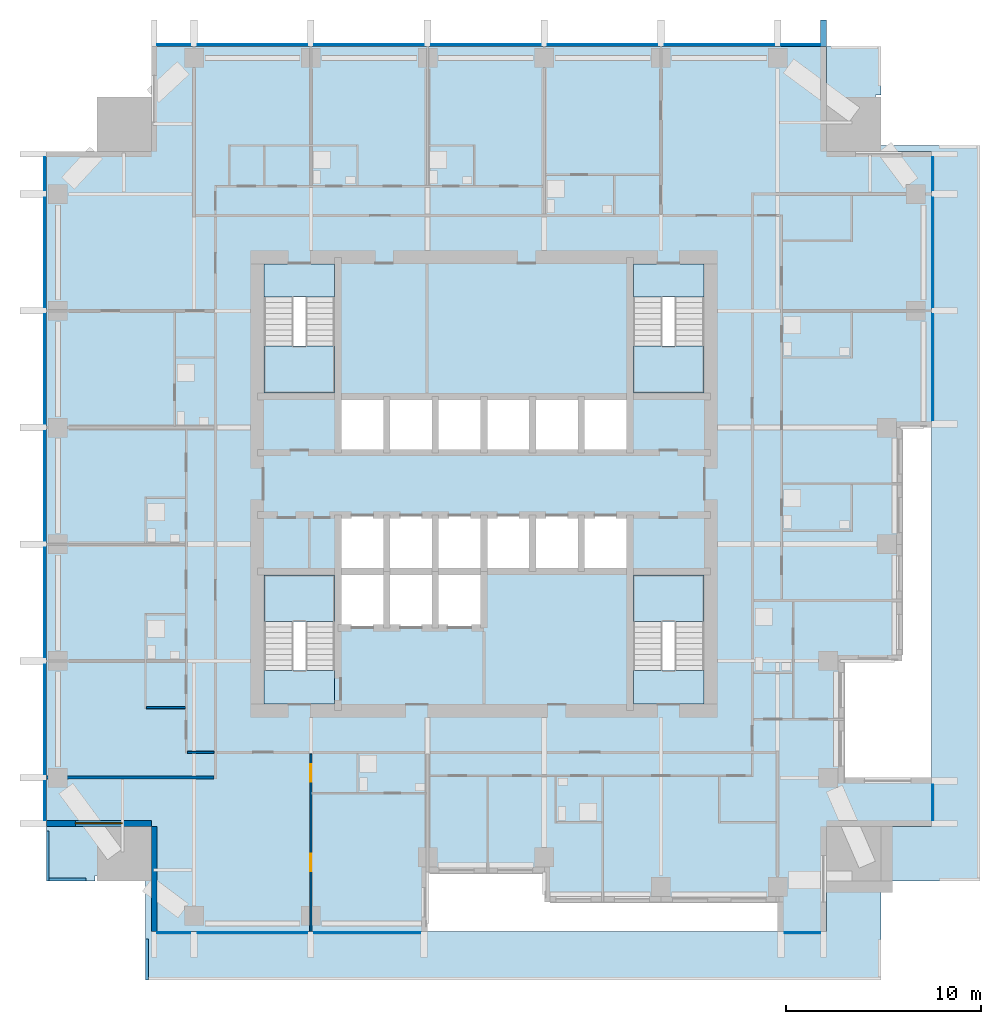
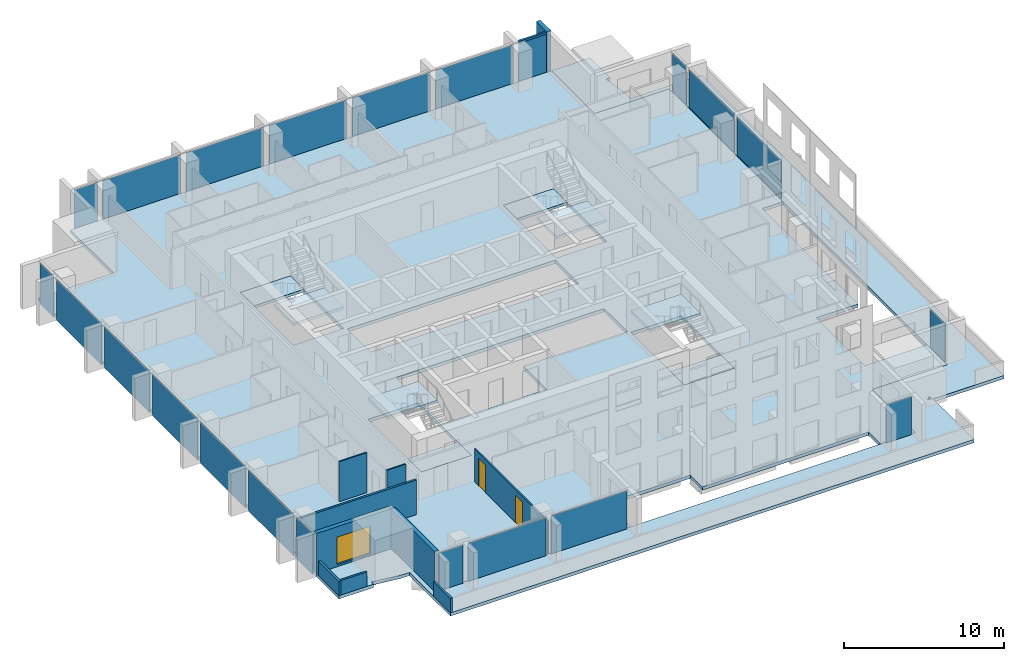
# One storey, part 3 of 14: 22 plates, 10 slabs, 9 walls, 2 doors, 2 members, 1 window, 3 openings, 10 elements without a shape of their own.
"""IFC4 building model written with IfcOpenShell, lengths in metres."""

from ifc_helpers import new_model, si_unit, direction, frame, frame_2d, origin, origin_2d, place, context, subcontext, project, spatial, polyline, rectangle, outline, extrude, material, layer, layer_set, material_profile, profile_set, type_object, element, fill, aggregate, save


model = new_model("IFC4")

# Units and contexts
model_context = context("Model", 3, precision=1e-05, world=origin(), true_north=direction((0.0, 1.0)))
body_context = subcontext(model_context, "Body", "Model", "MODEL_VIEW")
ifc_project = project(units=[si_unit("LENGTHUNIT", "METRE"), si_unit("AREAUNIT", "SQUARE_METRE"), si_unit("VOLUMEUNIT", "CUBIC_METRE"), si_unit("PLANEANGLEUNIT", "RADIAN"), si_unit("MASSUNIT", "GRAM", prefix="KILO")], contexts=[model_context])

# Site, building, storey
site_placement = place(None, origin())
site = spatial("IfcSite", under=ifc_project, at=site_placement, CompositionType="ELEMENT")
building_placement = place(site_placement, origin())
building = spatial("IfcBuilding", under=site, at=building_placement, Name="Amberfall Residences", CompositionType="ELEMENT")
storey_placement = place(building_placement, frame((0.0, 0.0, 133.89990234375)))
storey = spatial("IfcBuildingStorey", under=building, at=storey_placement, Name="L35", CompositionType="ELEMENT", Elevation=133.89990234375)

# Curtain wall, members
ifc_material_1 = material(Name="Bronze anodised aluminium and glass", Category="aluminium")
curtain_wall_type = type_object("IfcCurtainWallType", Name="Curtain wall CW1 tower unit", PredefinedType="USERDEFINED", material=ifc_material_1)
curtain_wall_1_placement = place(storey_placement, origin())
curtain_wall_1 = element("IfcCurtainWall", 1, at=curtain_wall_1_placement, inside=storey, type_object=curtain_wall_type, Name="Curtain wall L35 N N1", ObjectType="UNITISED CURTAIN WALL", PredefinedType="USERDEFINED")
ifc_material_2 = material(Name="Bronze anodised aluminium", Category="aluminium")
ifc_material_profile_1 = material_profile(ifc_material_2, rectangle(XDim=0.14990234375, YDim=0.14990234375, at=origin_2d()), Name="CW1 transom 150 x 150 bronze")
ifc_profile_set_1 = profile_set([ifc_material_profile_1], Name="Bronze anodised aluminium")
member_type_1 = type_object("IfcMemberType", Name="CW1 transom 150 x 150 bronze", PredefinedType="USERDEFINED", material=ifc_profile_set_1)
member_1_placement = place(storey_placement, frame((91.800048828125, 68.074951171875, 2.97509765625), z_axis=(-1.0, 0.0, 0.0), x_axis=(0.0, -1.0, 0.0)))
member_1 = element("IfcMember", 2, at=member_1_placement, type_object=member_type_1, Name="CW1 transom 1.1", ObjectType="TRANSOM", PredefinedType="USERDEFINED", context=body_context, shape_type="SweptSolid", body=[
    extrude(rectangle(XDim=0.14990234375, YDim=0.14990234375, at=origin_2d()), origin(), (0.0, 0.0, 1.0), 2.025146484375),
])
ifc_material_profile_2 = material_profile(ifc_material_2, rectangle(XDim=1.35009765625, YDim=0.300048828125, at=origin_2d()), Name="Corner fin 300 x 1350 bronze")
ifc_profile_set_2 = profile_set([ifc_material_profile_2], Name="Bronze anodised aluminium")
member_type_2 = type_object("IfcMemberType", Name="Corner fin 300 x 1350 bronze", PredefinedType="MULLION", material=ifc_profile_set_2)
member_2_placement = place(storey_placement, frame((91.949951171875, 68.675048828125, -0.25), z_axis=(0.0, 0.0, 1.0), x_axis=(0.0, -1.0, 0.0)))
member_2 = element("IfcMember", 3, at=member_2_placement, type_object=member_type_2, Name="CW FIN 1", PredefinedType="MULLION", context=body_context, shape_type="SweptSolid", body=[
    extrude(rectangle(XDim=1.35009765625, YDim=0.300048828125, at=origin_2d()), origin(), (0.0, 0.0, 1.0), 3.300048828125),
])

# Curtain wall, plates
curtain_wall_2_placement = place(storey_placement, origin())
curtain_wall_2 = element("IfcCurtainWall", 4, at=curtain_wall_2_placement, inside=storey, type_object=curtain_wall_type, Name="Curtain wall L35 S S1", ObjectType="UNITISED CURTAIN WALL", PredefinedType="USERDEFINED")
ifc_material_3 = material(Name="Tinted double glazed unit", Category="glass")
ifc_layer_1 = layer(ifc_material_3, 0.035888671875)
ifc_layer_set_1 = layer_set([ifc_layer_1], Name="CW1 panel 36 glazing")
plate_type = type_object("IfcPlateType", Name="CW1 panel 36 glazing", PredefinedType="CURTAIN_PANEL", material=ifc_layer_set_1)
plate_1_placement = place(storey_placement, frame((58.5625, 22.425048828125, 0.000244140625), z_axis=(0.0, 0.0, 1.0), x_axis=(1.0, 0.0, 0.0)))
plate_1 = element("IfcPlate", 5, at=plate_1_placement, type_object=plate_type, Name="CW1 panel 1.1", PredefinedType="CURTAIN_PANEL", context=body_context, shape_type="SweptSolid", body=[
    extrude(rectangle(XDim=1.700927734375, YDim=0.035888671875, at=origin_2d()), origin(), (0.0, 0.0, 1.0), 2.89990234375),
])
plate_2_placement = place(storey_placement, frame((62.60009765625, 22.425048828125, 0.000244140625), z_axis=(0.0, 0.0, 1.0), x_axis=(1.0, 0.0, 0.0)))
plate_2 = element("IfcPlate", 6, at=plate_2_placement, type_object=plate_type, Name="CW1 panel 2.1", PredefinedType="CURTAIN_PANEL", context=body_context, shape_type="SweptSolid", body=[
    extrude(rectangle(XDim=5.6259765625, YDim=0.035888671875, at=origin_2d()), origin(), (0.0, 0.0, 1.0), 2.89990234375),
])
plate_3_placement = place(storey_placement, frame((68.512451171875, 22.425048828125, 0.000244140625), z_axis=(0.0, 0.0, 1.0), x_axis=(1.0, 0.0, 0.0)))
plate_3 = element("IfcPlate", 7, at=plate_3_placement, type_object=plate_type, Name="CW1 panel 3.1", PredefinedType="CURTAIN_PANEL", context=body_context, shape_type="SweptSolid", body=[
    extrude(rectangle(XDim=5.450927734375, YDim=0.035888671875, at=origin_2d()), origin(), (0.0, 0.0, 1.0), 2.89990234375),
])
aggregate(curtain_wall_2, [plate_1, plate_2, plate_3])

# Curtain wall, plate
curtain_wall_3_placement = place(storey_placement, origin())
curtain_wall_3 = element("IfcCurtainWall", 8, at=curtain_wall_3_placement, inside=storey, type_object=curtain_wall_type, Name="Curtain wall L35 S S8", ObjectType="UNITISED CURTAIN WALL", PredefinedType="USERDEFINED")
plate_4_placement = place(storey_placement, frame((90.875, 22.425048828125, 0.000244140625), z_axis=(0.0, 0.0, 1.0), x_axis=(1.0, 0.0, 0.0)))
plate_4 = element("IfcPlate", 9, at=plate_4_placement, type_object=plate_type, Name="CW1 panel 1.1", PredefinedType="CURTAIN_PANEL", context=body_context, shape_type="SweptSolid", body=[
    extrude(rectangle(XDim=1.825927734375, YDim=0.035888671875, at=origin_2d()), origin(), (0.0, 0.0, 1.0), 2.89990234375),
])
aggregate(curtain_wall_3, [plate_4])

curtain_wall_4_placement = place(storey_placement, origin())
curtain_wall_4 = element("IfcCurtainWall", 10, at=curtain_wall_4_placement, inside=storey, type_object=curtain_wall_type, Name="Curtain wall L35 E E1", ObjectType="UNITISED CURTAIN WALL", PredefinedType="USERDEFINED")
plate_5_placement = place(storey_placement, frame((97.574951171875, 29.125, 0.000244140625), z_axis=(0.0, 0.0, 1.0), x_axis=(0.0, 1.0, 0.0)))
plate_5 = element("IfcPlate", 11, at=plate_5_placement, type_object=plate_type, Name="CW1 panel 1.1", PredefinedType="CURTAIN_PANEL", context=body_context, shape_type="SweptSolid", body=[
    extrude(rectangle(XDim=1.825927734375, YDim=0.035888671875, at=origin_2d()), origin(), (0.0, 0.0, 1.0), 2.89990234375),
])
aggregate(curtain_wall_4, [plate_5])

# Curtain wall, plates
curtain_wall_5_placement = place(storey_placement, origin())
curtain_wall_5 = element("IfcCurtainWall", 12, at=curtain_wall_5_placement, inside=storey, type_object=curtain_wall_type, Name="Curtain wall L35 E E8", ObjectType="UNITISED CURTAIN WALL", PredefinedType="USERDEFINED")
plate_6_placement = place(storey_placement, frame((97.574951171875, 51.487548828125, 0.000244140625), z_axis=(0.0, 0.0, 1.0), x_axis=(0.0, 1.0, 0.0)))
plate_6 = element("IfcPlate", 13, at=plate_6_placement, type_object=plate_type, Name="CW1 panel 1.1", PredefinedType="CURTAIN_PANEL", context=body_context, shape_type="SweptSolid", body=[
    extrude(rectangle(XDim=5.450927734375, YDim=0.035888671875, at=origin_2d()), origin(), (0.0, 0.0, 1.0), 2.89990234375),
])
plate_7_placement = place(storey_placement, frame((97.574951171875, 57.39990234375, 0.000244140625), z_axis=(0.0, 0.0, 1.0), x_axis=(0.0, 1.0, 0.0)))
plate_7 = element("IfcPlate", 14, at=plate_7_placement, type_object=plate_type, Name="CW1 panel 2.1", PredefinedType="CURTAIN_PANEL", context=body_context, shape_type="SweptSolid", body=[
    extrude(rectangle(XDim=5.6259765625, YDim=0.035888671875, at=origin_2d()), origin(), (0.0, 0.0, 1.0), 2.89990234375),
])
plate_8_placement = place(storey_placement, frame((97.574951171875, 61.4375, 0.000244140625), z_axis=(0.0, 0.0, 1.0), x_axis=(0.0, 1.0, 0.0)))
plate_8 = element("IfcPlate", 15, at=plate_8_placement, type_object=plate_type, Name="CW1 panel 3.1", PredefinedType="CURTAIN_PANEL", context=body_context, shape_type="SweptSolid", body=[
    extrude(rectangle(XDim=1.700927734375, YDim=0.035888671875, at=origin_2d()), origin(), (0.0, 0.0, 1.0), 2.89990234375),
])
aggregate(curtain_wall_5, [plate_6, plate_7, plate_8])

# Plate
plate_9_placement = place(storey_placement, frame((90.78759765625, 68.074951171875, -0.249755859375), z_axis=(0.0, 0.0, 1.0), x_axis=(-1.0, 0.0, 0.0)))
plate_9 = element("IfcPlate", 16, at=plate_9_placement, type_object=plate_type, Name="CW1 panel 1.1", PredefinedType="CURTAIN_PANEL", context=body_context, shape_type="SweptSolid", body=[
    extrude(rectangle(XDim=2.0009765625, YDim=0.035888671875, at=origin_2d()), origin(), (0.0, 0.0, 1.0), 3.14990234375),
])

plate_10_placement = place(storey_placement, frame((86.60009765625, 68.074951171875, -0.249755859375), z_axis=(0.0, 0.0, 1.0), x_axis=(-1.0, 0.0, 0.0)))
plate_10 = element("IfcPlate", 17, at=plate_10_placement, type_object=plate_type, Name="CW1 panel 2.1", PredefinedType="CURTAIN_PANEL", context=body_context, shape_type="SweptSolid", body=[
    extrude(rectangle(XDim=5.6259765625, YDim=0.035888671875, at=origin_2d()), origin(), (0.0, 0.0, 1.0), 3.14990234375),
])

plate_11_placement = place(storey_placement, frame((80.60009765625, 68.074951171875, -0.249755859375), z_axis=(0.0, 0.0, 1.0), x_axis=(-1.0, 0.0, 0.0)))
plate_11 = element("IfcPlate", 18, at=plate_11_placement, type_object=plate_type, Name="CW1 panel 3.1", PredefinedType="CURTAIN_PANEL", context=body_context, shape_type="SweptSolid", body=[
    extrude(rectangle(XDim=5.6259765625, YDim=0.035888671875, at=origin_2d()), origin(), (0.0, 0.0, 1.0), 3.14990234375),
])

plate_12_placement = place(storey_placement, frame((74.60009765625, 68.074951171875, -0.249755859375), z_axis=(0.0, 0.0, 1.0), x_axis=(-1.0, 0.0, 0.0)))
plate_12 = element("IfcPlate", 19, at=plate_12_placement, type_object=plate_type, Name="CW1 panel 4.1", PredefinedType="CURTAIN_PANEL", context=body_context, shape_type="SweptSolid", body=[
    extrude(rectangle(XDim=5.6259765625, YDim=0.035888671875, at=origin_2d()), origin(), (0.0, 0.0, 1.0), 3.14990234375),
])

plate_13_placement = place(storey_placement, frame((68.60009765625, 68.074951171875, -0.249755859375), z_axis=(0.0, 0.0, 1.0), x_axis=(-1.0, 0.0, 0.0)))
plate_13 = element("IfcPlate", 20, at=plate_13_placement, type_object=plate_type, Name="CW1 panel 5.1", PredefinedType="CURTAIN_PANEL", context=body_context, shape_type="SweptSolid", body=[
    extrude(rectangle(XDim=5.6259765625, YDim=0.035888671875, at=origin_2d()), origin(), (0.0, 0.0, 1.0), 3.14990234375),
])

plate_14_placement = place(storey_placement, frame((62.60009765625, 68.074951171875, -0.249755859375), z_axis=(0.0, 0.0, 1.0), x_axis=(-1.0, 0.0, 0.0)))
plate_14 = element("IfcPlate", 21, at=plate_14_placement, type_object=plate_type, Name="CW1 panel 6.1", PredefinedType="CURTAIN_PANEL", context=body_context, shape_type="SweptSolid", body=[
    extrude(rectangle(XDim=5.6259765625, YDim=0.035888671875, at=origin_2d()), origin(), (0.0, 0.0, 1.0), 3.14990234375),
])

plate_15_placement = place(storey_placement, frame((58.5625, 68.074951171875, -0.249755859375), z_axis=(0.0, 0.0, 1.0), x_axis=(-1.0, 0.0, 0.0)))
plate_15 = element("IfcPlate", 22, at=plate_15_placement, type_object=plate_type, Name="CW1 panel 7.1", PredefinedType="CURTAIN_PANEL", context=body_context, shape_type="SweptSolid", body=[
    extrude(rectangle(XDim=1.700927734375, YDim=0.035888671875, at=origin_2d()), origin(), (0.0, 0.0, 1.0), 3.14990234375),
])

aggregate(curtain_wall_1, [member_2, member_1, plate_9, plate_10, plate_11, plate_12, plate_13, plate_14, plate_15])

# Curtain wall, plates
curtain_wall_6_placement = place(storey_placement, origin())
curtain_wall_6 = element("IfcCurtainWall", 23, at=curtain_wall_6_placement, inside=storey, type_object=curtain_wall_type, Name="Curtain wall L35 W W1", ObjectType="UNITISED CURTAIN WALL", PredefinedType="USERDEFINED")
plate_16_placement = place(storey_placement, frame((51.925048828125, 61.4375, -0.249755859375), z_axis=(0.0, 0.0, 1.0), x_axis=(0.0, -1.0, 0.0)))
plate_16 = element("IfcPlate", 24, at=plate_16_placement, type_object=plate_type, Name="CW1 panel 1.1", PredefinedType="CURTAIN_PANEL", context=body_context, shape_type="SweptSolid", body=[
    extrude(rectangle(XDim=1.700927734375, YDim=0.035888671875, at=origin_2d()), origin(), (0.0, 0.0, 1.0), 3.14990234375),
])
plate_17_placement = place(storey_placement, frame((51.925048828125, 57.39990234375, -0.249755859375), z_axis=(0.0, 0.0, 1.0), x_axis=(0.0, -1.0, 0.0)))
plate_17 = element("IfcPlate", 25, at=plate_17_placement, type_object=plate_type, Name="CW1 panel 2.1", PredefinedType="CURTAIN_PANEL", context=body_context, shape_type="SweptSolid", body=[
    extrude(rectangle(XDim=5.6259765625, YDim=0.035888671875, at=origin_2d()), origin(), (0.0, 0.0, 1.0), 3.14990234375),
])
plate_18_placement = place(storey_placement, frame((51.925048828125, 51.39990234375, -0.249755859375), z_axis=(0.0, 0.0, 1.0), x_axis=(0.0, -1.0, 0.0)))
plate_18 = element("IfcPlate", 26, at=plate_18_placement, type_object=plate_type, Name="CW1 panel 3.1", PredefinedType="CURTAIN_PANEL", context=body_context, shape_type="SweptSolid", body=[
    extrude(rectangle(XDim=5.6259765625, YDim=0.035888671875, at=origin_2d()), origin(), (0.0, 0.0, 1.0), 3.14990234375),
])
plate_19_placement = place(storey_placement, frame((51.925048828125, 45.39990234375, -0.249755859375), z_axis=(0.0, 0.0, 1.0), x_axis=(0.0, -1.0, 0.0)))
plate_19 = element("IfcPlate", 27, at=plate_19_placement, type_object=plate_type, Name="CW1 panel 4.1", PredefinedType="CURTAIN_PANEL", context=body_context, shape_type="SweptSolid", body=[
    extrude(rectangle(XDim=5.6259765625, YDim=0.035888671875, at=origin_2d()), origin(), (0.0, 0.0, 1.0), 3.14990234375),
])
plate_20_placement = place(storey_placement, frame((51.925048828125, 39.39990234375, -0.249755859375), z_axis=(0.0, 0.0, 1.0), x_axis=(0.0, -1.0, 0.0)))
plate_20 = element("IfcPlate", 28, at=plate_20_placement, type_object=plate_type, Name="CW1 panel 5.1", PredefinedType="CURTAIN_PANEL", context=body_context, shape_type="SweptSolid", body=[
    extrude(rectangle(XDim=5.6259765625, YDim=0.035888671875, at=origin_2d()), origin(), (0.0, 0.0, 1.0), 3.14990234375),
])
plate_21_placement = place(storey_placement, frame((51.925048828125, 33.39990234375, -0.249755859375), z_axis=(0.0, 0.0, 1.0), x_axis=(0.0, -1.0, 0.0)))
plate_21 = element("IfcPlate", 29, at=plate_21_placement, type_object=plate_type, Name="CW1 panel 6.1", PredefinedType="CURTAIN_PANEL", context=body_context, shape_type="SweptSolid", body=[
    extrude(rectangle(XDim=5.6259765625, YDim=0.035888671875, at=origin_2d()), origin(), (0.0, 0.0, 1.0), 3.14990234375),
])
plate_22_placement = place(storey_placement, frame((51.925048828125, 29.21240234375, -0.249755859375), z_axis=(0.0, 0.0, 1.0), x_axis=(0.0, -1.0, 0.0)))
plate_22 = element("IfcPlate", 30, at=plate_22_placement, type_object=plate_type, Name="CW1 panel 7.1", PredefinedType="CURTAIN_PANEL", context=body_context, shape_type="SweptSolid", body=[
    extrude(rectangle(XDim=2.0009765625, YDim=0.035888671875, at=origin_2d()), origin(), (0.0, 0.0, 1.0), 3.14990234375),
])
aggregate(curtain_wall_6, [plate_16, plate_17, plate_18, plate_19, plate_20, plate_21, plate_22])

# Slabs
ifc_material_4 = material(Name="Concrete C60", Category="concrete")
ifc_layer_2 = layer(ifc_material_4, 0.25)
ifc_layer_set_2 = layer_set([ifc_layer_2], Name="Floor slab 250 C60")
slab_type_1 = type_object("IfcSlabType", Name="Floor slab 250 C60", PredefinedType="FLOOR", material=ifc_layer_set_2)
slab_1_placement = place(storey_placement, frame((0.0, 0.0, -0.25)))
element("IfcSlab", 31, at=slab_1_placement, inside=storey, type_object=slab_type_1, Name="Floor slab S10 L35", PredefinedType="FLOOR", context=body_context, shape_type="SweptSolid", body=[
    extrude(outline(polyline([(89.60009765625, 22.5), (89.60009765625, 24.0), (83.60009765625, 24.0), (77.60009765625, 24.0), (77.60009765625, 25.5), (71.60009765625, 25.5), (71.60009765625, 22.5), (57.39990234375, 22.5), (57.39990234375, 27.89990234375), (52.0, 27.89990234375), (52.0, 62.60009765625), (57.39990234375, 62.60009765625), (57.39990234375, 68.0), (92.10009765625, 68.0), (92.10009765625, 62.60009765625), (97.5, 62.60009765625), (97.5, 48.39990234375), (96.0, 48.39990234375), (96.0, 42.39990234375), (96.0, 36.39990234375), (93.0, 36.39990234375), (93.0, 30.39990234375), (97.5, 30.39990234375), (97.5, 27.89990234375), (92.10009765625, 27.89990234375), (92.10009765625, 22.5), (89.60009765625, 22.5)]), holes=[polyline([(85.800048828125, 34.199951171875), (85.800048828125, 40.824951171875), (82.175048828125, 40.824951171875), (82.175048828125, 34.199951171875), (85.800048828125, 34.199951171875)]), polyline([(82.175048828125, 50.175048828125), (85.800048828125, 50.175048828125), (85.800048828125, 56.800048828125), (82.175048828125, 56.800048828125), (82.175048828125, 50.175048828125)]), polyline([(69.5, 50.0), (67.0, 50.0), (67.0, 47.10009765625), (69.5, 47.10009765625), (72.0, 47.10009765625), (74.5, 47.10009765625), (77.0, 47.10009765625), (79.5, 47.10009765625), (82.0, 47.10009765625), (82.0, 50.0), (79.5, 50.0), (77.0, 50.0), (74.5, 50.0), (72.0, 50.0), (69.5, 50.0)]), polyline([(74.5, 41.0), (77.0, 41.0), (79.5, 41.0), (82.0, 41.0), (82.0, 43.89990234375), (79.5, 43.89990234375), (77.0, 43.89990234375), (74.5, 43.89990234375), (72.0, 43.89990234375), (69.5, 43.89990234375), (67.0, 43.89990234375), (67.0, 41.0), (67.0, 38.10009765625), (69.5, 38.10009765625), (72.0, 38.10009765625), (74.5, 38.10009765625), (74.5, 41.0)]), polyline([(66.824951171875, 34.199951171875), (66.824951171875, 40.824951171875), (63.199951171875, 40.824951171875), (63.199951171875, 34.199951171875), (66.824951171875, 34.199951171875)]), polyline([(66.824951171875, 50.175048828125), (66.824951171875, 56.800048828125), (63.199951171875, 56.800048828125), (63.199951171875, 50.175048828125), (66.824951171875, 50.175048828125)])]), origin(), (0.0, 0.0, 1.0), 0.25),
])
ifc_material_5 = material(Name="Concrete C70", Category="concrete")
ifc_layer_3 = layer(ifc_material_5, 0.25)
ifc_layer_set_3 = layer_set([ifc_layer_3], Name="Roof slab 250 C70")
slab_type_2 = type_object("IfcSlabType", Name="Roof slab 250 C70", PredefinedType="ROOF", material=ifc_layer_set_3)
slab_2_placement = place(storey_placement, frame((0.0, 0.0, -0.25)))
element("IfcSlab", 32, at=slab_2_placement, inside=storey, type_object=slab_type_2, Name="Roof slab S11 L35 1", PredefinedType="ROOF", context=body_context, shape_type="SweptSolid", body=[
    extrude(outline(polyline([(94.89990234375, 20.0), (57.10009765625, 20.0), (57.10009765625, 25.10009765625), (56.515869140625, 25.10009765625), (54.51220703125, 25.37646484375), (54.509765625, 25.10009765625), (52.0, 25.10009765625), (52.0, 27.89990234375), (57.39990234375, 27.89990234375), (57.39990234375, 22.5), (92.10009765625, 22.5), (92.10009765625, 27.89990234375), (97.5, 27.89990234375), (97.5, 62.60009765625), (92.10009765625, 62.60009765625), (92.10009765625, 68.0), (94.89990234375, 68.0), (94.89990234375, 65.490234375), (94.62353515625, 65.48779296875), (94.89990234375, 63.484130859375), (94.89990234375, 62.89990234375), (100.0, 62.89990234375), (100.0, 25.10009765625), (94.89990234375, 25.10009765625), (94.89990234375, 20.0)]), holes=[polyline([(94.530517578125, 25.1953125), (94.82763671875, 25.17236328125), (94.824462890625, 25.21337890625), (94.8046875, 25.469482421875), (94.530517578125, 25.1953125)])]), origin(), (0.0, 0.0, 1.0), 0.25),
])

# Stair, slabs
ifc_material_6 = material(Name="Concrete C40", Category="concrete")
stair_type = type_object("IfcStairType", Name="Exit stair 20 risers 165.0 mm", PredefinedType="HALF_TURN_STAIR", material=ifc_material_6)
stair_1_placement = place(storey_placement, origin())
stair_1 = element("IfcStair", 33, at=stair_1_placement, inside=storey, type_object=stair_type, Name="L35 Exit stair 1", PredefinedType="HALF_TURN_STAIR")
ifc_layer_4 = layer(ifc_material_6, 0.199951171875)
ifc_layer_set_4 = layer_set([ifc_layer_4], Name="Stair landing 200")
slab_type_3 = type_object("IfcSlabType", Name="Stair landing 200", PredefinedType="LANDING", material=ifc_layer_set_4)
slab_3_placement = place(storey_placement, frame((0.0, 0.0, 1.4501953125)))
slab_3 = element("IfcSlab", 34, at=slab_3_placement, type_object=slab_type_3, Name="ST3 landing 1", PredefinedType="LANDING", context=body_context, shape_type="SweptSolid", body=[
    extrude(outline(polyline([(66.824951171875, 38.419921875), (66.824951171875, 40.824951171875), (63.199951171875, 40.824951171875), (63.199951171875, 38.419921875), (66.824951171875, 38.419921875)])), origin(), (0.0, 0.0, 1.0), 0.199951171875),
])
slab_4_placement = place(storey_placement, frame((0.0, 0.0, -0.199951171875)))
slab_4 = element("IfcSlab", 35, at=slab_4_placement, type_object=slab_type_3, Name="ST3 landing 2", PredefinedType="LANDING", context=body_context, shape_type="SweptSolid", body=[
    extrude(outline(polyline([(66.824951171875, 34.199951171875), (66.824951171875, 35.89990234375), (63.199951171875, 35.89990234375), (63.199951171875, 34.199951171875), (66.824951171875, 34.199951171875)])), origin(), (0.0, 0.0, 1.0), 0.199951171875),
])
aggregate(stair_1, [slab_3, slab_4])

stair_2_placement = place(storey_placement, origin())
stair_2 = element("IfcStair", 36, at=stair_2_placement, inside=storey, type_object=stair_type, Name="L35 Exit stair 2", PredefinedType="HALF_TURN_STAIR")
slab_5_placement = place(storey_placement, frame((0.0, 0.0, 1.4501953125)))
slab_5 = element("IfcSlab", 37, at=slab_5_placement, type_object=slab_type_3, Name="ST3 landing 1", PredefinedType="LANDING", context=body_context, shape_type="SweptSolid", body=[
    extrude(outline(polyline([(85.800048828125, 38.419921875), (85.800048828125, 40.824951171875), (82.175048828125, 40.824951171875), (82.175048828125, 38.419921875), (85.800048828125, 38.419921875)])), origin(), (0.0, 0.0, 1.0), 0.199951171875),
])
slab_6_placement = place(storey_placement, frame((0.0, 0.0, -0.199951171875)))
slab_6 = element("IfcSlab", 38, at=slab_6_placement, type_object=slab_type_3, Name="ST3 landing 2", PredefinedType="LANDING", context=body_context, shape_type="SweptSolid", body=[
    extrude(outline(polyline([(85.800048828125, 34.199951171875), (85.800048828125, 35.89990234375), (82.175048828125, 35.89990234375), (82.175048828125, 34.199951171875), (85.800048828125, 34.199951171875)])), origin(), (0.0, 0.0, 1.0), 0.199951171875),
])
aggregate(stair_2, [slab_5, slab_6])

stair_3_placement = place(storey_placement, origin())
stair_3 = element("IfcStair", 39, at=stair_3_placement, inside=storey, type_object=stair_type, Name="L35 Exit stair 3", PredefinedType="HALF_TURN_STAIR")
slab_7_placement = place(storey_placement, frame((0.0, 0.0, 1.4501953125)))
slab_7 = element("IfcSlab", 40, at=slab_7_placement, type_object=slab_type_3, Name="ST3 landing 1", PredefinedType="LANDING", context=body_context, shape_type="SweptSolid", body=[
    extrude(outline(polyline([(82.175048828125, 52.580078125), (82.175048828125, 50.175048828125), (85.800048828125, 50.175048828125), (85.800048828125, 52.580078125), (82.175048828125, 52.580078125)])), origin(), (0.0, 0.0, 1.0), 0.199951171875),
])
slab_8_placement = place(storey_placement, frame((0.0, 0.0, -0.199951171875)))
slab_8 = element("IfcSlab", 41, at=slab_8_placement, type_object=slab_type_3, Name="ST3 landing 2", PredefinedType="LANDING", context=body_context, shape_type="SweptSolid", body=[
    extrude(outline(polyline([(82.175048828125, 56.800048828125), (82.175048828125, 55.10009765625), (85.800048828125, 55.10009765625), (85.800048828125, 56.800048828125), (82.175048828125, 56.800048828125)])), origin(), (0.0, 0.0, 1.0), 0.199951171875),
])
aggregate(stair_3, [slab_7, slab_8])

stair_4_placement = place(storey_placement, origin())
stair_4 = element("IfcStair", 42, at=stair_4_placement, inside=storey, type_object=stair_type, Name="L35 Exit stair 4", PredefinedType="HALF_TURN_STAIR")
slab_9_placement = place(storey_placement, frame((0.0, 0.0, 1.4501953125)))
slab_9 = element("IfcSlab", 43, at=slab_9_placement, type_object=slab_type_3, Name="ST3 landing 1", PredefinedType="LANDING", context=body_context, shape_type="SweptSolid", body=[
    extrude(outline(polyline([(63.199951171875, 52.580078125), (63.199951171875, 50.175048828125), (66.824951171875, 50.175048828125), (66.824951171875, 52.580078125), (63.199951171875, 52.580078125)])), origin(), (0.0, 0.0, 1.0), 0.199951171875),
])
slab_10_placement = place(storey_placement, frame((0.0, 0.0, -0.199951171875)))
slab_10 = element("IfcSlab", 44, at=slab_10_placement, type_object=slab_type_3, Name="ST3 landing 2", PredefinedType="LANDING", context=body_context, shape_type="SweptSolid", body=[
    extrude(outline(polyline([(63.199951171875, 56.800048828125), (63.199951171875, 55.10009765625), (66.824951171875, 55.10009765625), (66.824951171875, 56.800048828125), (63.199951171875, 56.800048828125)])), origin(), (0.0, 0.0, 1.0), 0.199951171875),
])
aggregate(stair_4, [slab_9, slab_10])

# Wall, opening, window
ifc_material_7 = material(Name="Pale stone cladding on insulated backing", Category="masonry")
ifc_layer_5 = layer(ifc_material_7, 0.300048828125)
ifc_layer_set_5 = layer_set([ifc_layer_5], Name="Bronze clad wall 300")
wall_type_1 = type_object("IfcWallType", Name="Bronze clad wall 300", PredefinedType="SOLIDWALL", material=ifc_layer_set_5)
wall_1_placement = place(storey_placement, frame((52.0, 28.050048828125, 0.0), z_axis=(0.0, 0.0, 1.0), x_axis=(1.0, 0.0, 0.0)))
wall_1 = element("IfcWall", 45, at=wall_1_placement, inside=storey, type_object=wall_type_1, Name="External wall L35 SW", PredefinedType="SOLIDWALL", context=body_context, shape_type="SweptSolid", body=[
    extrude(rectangle(XDim=5.39990234375, YDim=0.300048828125, at=frame_2d((2.699951171875, 0.0))), origin(), (0.0, 0.0, 1.0), 3.050048828125),
])
opening_1_placement = place(wall_1_placement, frame((1.5, 0.0, 0.14990234375)))
opening_1 = element("IfcOpeningElement", 46, at=opening_1_placement, cuts=wall_1, Name="Opening WN5", PredefinedType="OPENING", context=body_context, shape_type="SweptSolid", body=[
    extrude(rectangle(XDim=2.39990234375, YDim=2.10009765625, at=frame_2d((1.199951171875, 1.050048828125))), frame((0.0, 0.159912109375, 0.0), z_axis=(0.0, -1.0, 0.0), x_axis=(1.0, 0.0, 0.0)), (0.0, 0.0, 1.0), 0.320068359375),
])
ifc_material_8 = material(Name="Bronze aluminium framed glazing", Category="aluminium")
window_type = type_object("IfcWindowType", Name="Glazed opening 2400 x 2100 bronze", PartitioningType="DOUBLE_PANEL_VERTICAL", PredefinedType="WINDOW", material=ifc_material_8)
window_placement = place(opening_1_placement, origin())
window = element("IfcWindow", 47, at=window_placement, inside=storey, type_object=window_type, Name="Window L35 SW", OverallHeight=2.10009765625, OverallWidth=2.39990234375, PartitioningType="DOUBLE_PANEL_VERTICAL", PredefinedType="WINDOW", context=body_context, shape_type="SweptSolid", body=[
    extrude(rectangle(XDim=2.39990234375, YDim=2.10009765625, at=frame_2d((1.199951171875, 1.050048828125))), frame((0.0, 0.030029296875, 0.0), z_axis=(0.0, -1.0, 0.0), x_axis=(1.0, 0.0, 0.0)), (0.0, 0.0, 1.0), 0.06005859375),
])
fill(opening_1, window)

# Wall
wall_2_placement = place(storey_placement, frame((57.550048828125, 27.89990234375, 0.0), z_axis=(0.0, 0.0, 1.0), x_axis=(0.0, -1.0, 0.0)))
element("IfcWall", 48, at=wall_2_placement, inside=storey, type_object=wall_type_1, Name="External wall L35 SW", PredefinedType="SOLIDWALL", context=body_context, shape_type="SweptSolid", body=[
    extrude(rectangle(XDim=5.39990234375, YDim=0.300048828125, at=frame_2d((2.699951171875, 0.0))), origin(), (0.0, 0.0, 1.0), 3.050048828125),
])

# Wall, openings, doors
ifc_material_9 = material(Name="Gypsum board on metal stud")
ifc_layer_6 = layer(ifc_material_9, 0.10009765625)
ifc_layer_set_6 = layer_set([ifc_layer_6], Name="Flat partition 100")
wall_type_2 = type_object("IfcWallType", Name="Flat partition 100", PredefinedType="PARTITIONING", material=ifc_layer_set_6)
wall_3_placement = place(storey_placement, frame((65.60009765625, 31.625, 0.0), z_axis=(0.0, 0.0, 1.0), x_axis=(0.0, -1.0, 0.0)))
wall_3 = element("IfcWall", 49, at=wall_3_placement, inside=storey, type_object=wall_type_2, Name="Partition 008", PredefinedType="PARTITIONING", context=body_context, shape_type="SweptSolid", body=[
    extrude(rectangle(XDim=9.125, YDim=0.10009765625, at=frame_2d((4.5625, 0.0))), origin(), (0.0, 0.0, 1.0), 2.51611328125),
])
opening_2_placement = place(wall_3_placement, frame((0.52490234375, 0.0, 0.0)))
opening_2 = element("IfcOpeningElement", 50, at=opening_2_placement, cuts=wall_3, Name="Opening D41", PredefinedType="OPENING", context=body_context, shape_type="SweptSolid", body=[
    extrude(rectangle(XDim=0.89990234375, YDim=2.10009765625, at=frame_2d((0.449951171875, 1.050048828125))), frame((0.0, 0.06005859375, 0.0), z_axis=(0.0, -1.0, 0.0), x_axis=(1.0, 0.0, 0.0)), (0.0, 0.0, 1.0), 0.1201171875),
])
opening_3_placement = place(wall_3_placement, frame((5.125, 0.0, 0.0)))
opening_3 = element("IfcOpeningElement", 51, at=opening_3_placement, cuts=wall_3, Name="Opening D41", PredefinedType="OPENING", context=body_context, shape_type="SweptSolid", body=[
    extrude(rectangle(XDim=0.89990234375, YDim=2.10009765625, at=frame_2d((0.449951171875, 1.050048828125))), frame((0.0, 0.06005859375, 0.0), z_axis=(0.0, -1.0, 0.0), x_axis=(1.0, 0.0, 0.0)), (0.0, 0.0, 1.0), 0.1201171875),
])
ifc_material_10 = material(Name="Timber", Category="wood")
door_type = type_object("IfcDoorType", Name="Internal door 900 x 2100", OperationType="SINGLE_SWING_LEFT", PredefinedType="DOOR", material=ifc_material_10)
door_1_placement = place(opening_2_placement, origin())
door_1 = element("IfcDoor", 52, at=door_1_placement, inside=storey, type_object=door_type, Name="Door 3501 kitchen", OperationType="SINGLE_SWING_LEFT", OverallHeight=2.10009765625, OverallWidth=0.89990234375, PredefinedType="DOOR", context=body_context, shape_type="SweptSolid", body=[
    extrude(rectangle(XDim=0.89990234375, YDim=2.10009765625, at=frame_2d((0.449951171875, 1.050048828125))), frame((0.0, 0.02490234375, 0.0), z_axis=(0.0, -1.0, 0.0), x_axis=(1.0, 0.0, 0.0)), (0.0, 0.0, 1.0), 0.050048828125),
])
fill(opening_2, door_1)
door_2_placement = place(opening_3_placement, origin())
door_2 = element("IfcDoor", 53, at=door_2_placement, inside=storey, type_object=door_type, Name="Door 3501 bedroom1", OperationType="SINGLE_SWING_LEFT", OverallHeight=2.10009765625, OverallWidth=0.89990234375, PredefinedType="DOOR", context=body_context, shape_type="SweptSolid", body=[
    extrude(rectangle(XDim=0.89990234375, YDim=2.10009765625, at=frame_2d((0.449951171875, 1.050048828125))), frame((0.0, 0.02490234375, 0.0), z_axis=(0.0, -1.0, 0.0), x_axis=(1.0, 0.0, 0.0)), (0.0, 0.0, 1.0), 0.050048828125),
])
fill(opening_3, door_2)

# Walls
wall_4_placement = place(storey_placement, frame((57.14990234375, 34.0, 0.0), z_axis=(0.0, 0.0, 1.0), x_axis=(1.0, 0.0, 0.0)))
element("IfcWall", 54, at=wall_4_placement, inside=storey, type_object=wall_type_2, Name="Partition 043", PredefinedType="PARTITIONING", context=body_context, shape_type="SweptSolid", body=[
    extrude(rectangle(XDim=2.0, YDim=0.10009765625, at=frame_2d((1.0, 0.0))), origin(), (0.0, 0.0, 1.0), 3.050048828125),
])
wall_5_placement = place(storey_placement, frame((59.25, 31.699951171875, 0.0), z_axis=(0.0, 0.0, 1.0), x_axis=(1.0, 0.0, 0.0)))
element("IfcWall", 55, at=wall_5_placement, inside=storey, type_object=wall_type_2, Name="Partition 045", PredefinedType="PARTITIONING", context=body_context, shape_type="SweptSolid", body=[
    extrude(rectangle(XDim=1.375, YDim=0.10009765625, at=frame_2d((0.6875, 0.0))), origin(), (0.0, 0.0, 1.0), 3.050048828125),
])
ifc_material_11 = material(Name="Blockwork, plastered", Category="masonry")
ifc_layer_7 = layer(ifc_material_11, 0.14990234375)
ifc_layer_set_7 = layer_set([ifc_layer_7], Name="Flat separating wall 150")
wall_type_3 = type_object("IfcWallType", Name="Flat separating wall 150", PredefinedType="PARTITIONING", material=ifc_layer_set_7)
wall_6_placement = place(storey_placement, frame((52.0, 30.39990234375, 0.0), z_axis=(0.0, 0.0, 1.0), x_axis=(1.0, 0.0, 0.0)))
element("IfcWall", 56, at=wall_6_placement, inside=storey, type_object=wall_type_3, Name="Separating wall 061", PredefinedType="PARTITIONING", context=body_context, shape_type="SweptSolid", body=[
    extrude(rectangle(XDim=8.625, YDim=0.14990234375, at=frame_2d((4.3125, 0.0))), origin(), (0.0, 0.0, 1.0), 2.647216796875),
])
ifc_layer_8 = layer(ifc_material_6, 0.14990234375)
ifc_layer_set_8 = layer_set([ifc_layer_8], Name="Ledge parapet 150")
wall_type_4 = type_object("IfcWallType", Name="Ledge parapet 150", PredefinedType="PARAPET", material=ifc_layer_set_8)
wall_7_placement = place(storey_placement, frame((52.074951171875, 27.64990234375, 0.0), z_axis=(0.0, 0.0, 1.0), x_axis=(0.0, -1.0, 0.0)))
element("IfcWall", 57, at=wall_7_placement, inside=storey, type_object=wall_type_4, Name="Roof parapet L35 7", PredefinedType="PARAPET", context=body_context, shape_type="SweptSolid", body=[
    extrude(rectangle(XDim=2.5498046875, YDim=0.14990234375, at=frame_2d((1.27490234375, 0.0))), origin(), (0.0, 0.0, 1.0), 1.10009765625),
])
wall_8_placement = place(storey_placement, frame((52.14990234375, 25.175048828125, 0.0), z_axis=(0.0, 0.0, 1.0), x_axis=(1.0, 0.0, 0.0)))
element("IfcWall", 58, at=wall_8_placement, inside=storey, type_object=wall_type_4, Name="Roof parapet L35 8", PredefinedType="PARAPET", context=body_context, shape_type="SweptSolid", body=[
    extrude(rectangle(XDim=1.888427734375, YDim=0.14990234375, at=frame_2d((0.9443359375, 0.0))), origin(), (0.0, 0.0, 1.0), 1.10009765625),
])
wall_9_placement = place(storey_placement, frame((57.175048828125, 22.106201171875, 0.0), z_axis=(0.0, 0.0, 1.0), x_axis=(0.0, -1.0, 0.0)))
element("IfcWall", 59, at=wall_9_placement, inside=storey, type_object=wall_type_4, Name="Roof parapet L35 9", PredefinedType="PARAPET", context=body_context, shape_type="SweptSolid", body=[
    extrude(rectangle(XDim=2.106201171875, YDim=0.14990234375, at=frame_2d((1.05322265625, 0.0))), origin(), (0.0, 0.0, 1.0), 1.10009765625),
])

save(model, "model.ifc")
